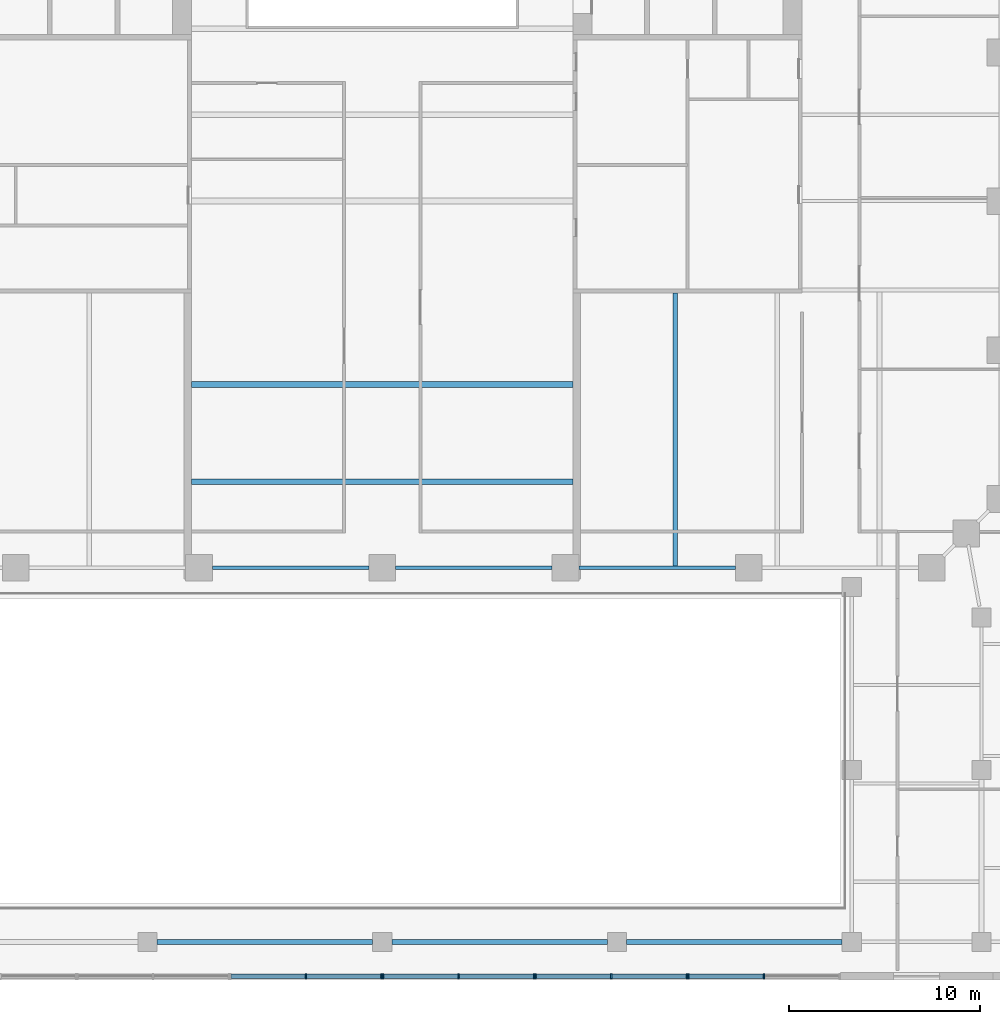
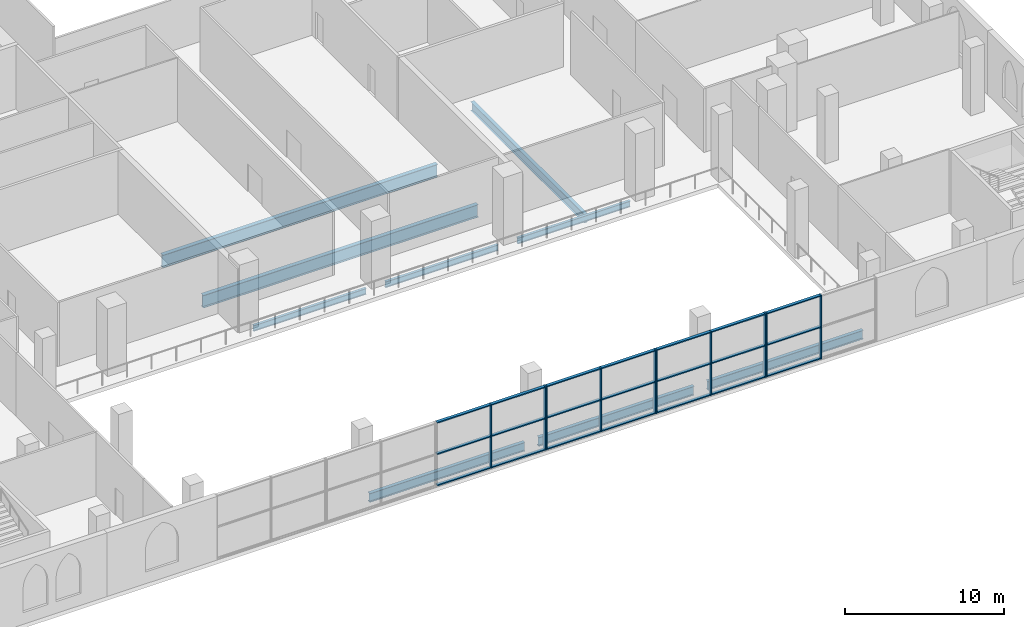
# One storey, part 3 of 22: 31 members, 9 beams, 4 elements without a shape of their own.
"""IFC4 building model written with IfcOpenShell, lengths in metres."""

from ifc_helpers import new_model, si_unit, direction, frame, origin, origin_2d, place, context, subcontext, project, spatial, rectangle, i_section, extrude, material, material_profile, profile_set, type_object, element, aggregate, save


model = new_model("IFC4")

# Units and contexts
model_context = context("Model", 3, precision=1e-05, world=origin(), true_north=direction((0.0, 1.0)))
body_context = subcontext(model_context, "Body", "Model", "MODEL_VIEW")
ifc_project = project(units=[si_unit("LENGTHUNIT", "METRE"), si_unit("AREAUNIT", "SQUARE_METRE"), si_unit("VOLUMEUNIT", "CUBIC_METRE"), si_unit("PLANEANGLEUNIT", "RADIAN"), si_unit("MASSUNIT", "GRAM", prefix="KILO")], contexts=[model_context])

# Site, building, storey
site_placement = place(None, origin())
site = spatial("IfcSite", under=ifc_project, at=site_placement, CompositionType="ELEMENT")
building_placement = place(site_placement, origin())
building = spatial("IfcBuilding", under=site, at=building_placement, Name="Ogive Exchange Tower", CompositionType="ELEMENT")
storey_placement = place(building_placement, frame((0.0, 0.0, 14.0)))
storey = spatial("IfcBuildingStorey", under=building, at=storey_placement, Name="L02", CompositionType="ELEMENT", Elevation=14.0)

# Beams
ifc_material_1 = material(Name="Steel ASTM A992 Gr50", Category="steel")
ifc_material_profile_1 = material_profile(ifc_material_1, i_section(OverallWidth=0.300048828125, OverallDepth=0.969970703125, WebThickness=0.01611328125, FlangeThickness=0.02099609375, at=origin_2d()), Name="W1000x222")
ifc_profile_set_1 = profile_set([ifc_material_profile_1], Name="Steel ASTM A992 Gr50")
beam_type_1 = type_object("IfcBeamType", Name="Floor beam W1000x222", PredefinedType="JOIST", material=ifc_profile_set_1)
for number, where, z_axis, x_axis, name in (
    (1, (-10.0, -25.896728515625, -0.784912109375), (1.0, 0.0, 0.0), (0.0, 1.0, 0.0), "Floor beam"),
    (2, (-10.0, -20.793212890625, -0.784912109375), (1.0, 0.0, 0.0), (0.0, 1.0, 0.0), "Floor beam"),
):
    element("IfcBeam", number, at=place(storey_placement, frame(where, z_axis=z_axis, x_axis=x_axis)), inside=storey, type_object=beam_type_1, Name=name, PredefinedType="JOIST", context=body_context, shape_type="SweptSolid", body=[
        extrude(i_section(OverallWidth=0.300048828125, OverallDepth=0.969970703125, WebThickness=0.01611328125, FlangeThickness=0.02099609375, at=origin_2d()), origin(), (0.0, 0.0, 1.0), 20.0),
    ])
ifc_material_profile_2 = material_profile(ifc_material_1, i_section(OverallWidth=0.25390625, OverallDepth=0.68310546875, WebThickness=0.012451171875, FlangeThickness=0.018798828125, at=origin_2d()), Name="W690x140")
ifc_profile_set_2 = profile_set([ifc_material_profile_2], Name="Steel ASTM A992 Gr50")
beam_type_2 = type_object("IfcBeamType", Name="Floor beam W690x140", PredefinedType="JOIST", material=ifc_profile_set_2)
beam_placement = place(storey_placement, frame((15.35009765625, -30.304443359375, -0.6416015625), z_axis=(0.0, 1.0, 0.0), x_axis=(-1.0, 0.0, 0.0)))
element("IfcBeam", 3, at=beam_placement, inside=storey, type_object=beam_type_2, Name="Floor beam", PredefinedType="JOIST", context=body_context, shape_type="SweptSolid", body=[
    extrude(i_section(OverallWidth=0.25390625, OverallDepth=0.68310546875, WebThickness=0.012451171875, FlangeThickness=0.018798828125, at=origin_2d()), origin(), (0.0, 0.0, 1.0), 14.304443359375),
])

# Curtain wall, members
ifc_material_2 = material(Name="Anodised aluminium and clear glass", Category="aluminium")
curtain_wall_type = type_object("IfcCurtainWallType", Name="Galleria end wall glazing", PredefinedType="NOTDEFINED", material=ifc_material_2)
curtain_wall_1_placement = place(storey_placement, origin())
curtain_wall_1 = element("IfcCurtainWall", 4, at=curtain_wall_1_placement, inside=storey, type_object=curtain_wall_type, Name="Galleria end wall glazing run GE6", PredefinedType="NOTDEFINED")
ifc_material_3 = material(Name="Anodised aluminium", Category="aluminium")
ifc_material_profile_3 = material_profile(ifc_material_3, rectangle(XDim=0.260009765625, YDim=0.080078125, at=origin_2d()), Name="AL 80x260")
ifc_profile_set_3 = profile_set([ifc_material_profile_3], Name="Anodised aluminium")
member_type_1 = type_object("IfcMemberType", Name="Galleria end wall glazing mullion 80 x 260", PredefinedType="MULLION", material=ifc_profile_set_3)
member_1_placement = place(storey_placement, frame((-4.0, -51.800048828125, 0.0), z_axis=(0.0, 0.0, 1.0), x_axis=(0.0, 1.0, 0.0)))
member_1 = element("IfcMember", 5, at=member_1_placement, type_object=member_type_1, Name="GE6 mullion 2", PredefinedType="MULLION", context=body_context, shape_type="SweptSolid", body=[
    extrude(rectangle(XDim=0.260009765625, YDim=0.080078125, at=origin_2d()), origin(), (0.0, 0.0, 1.0), 4.89990234375),
])
member_2_placement = place(storey_placement, frame((-0.0400390625, -51.800048828125, 0.0), z_axis=(0.0, 0.0, 1.0), x_axis=(0.0, 1.0, 0.0)))
member_2 = element("IfcMember", 6, at=member_2_placement, type_object=member_type_1, Name="GE6 mullion 3", PredefinedType="MULLION", context=body_context, shape_type="SweptSolid", body=[
    extrude(rectangle(XDim=0.260009765625, YDim=0.080078125, at=origin_2d()), origin(), (0.0, 0.0, 1.0), 4.89990234375),
])

curtain_wall_2_placement = place(storey_placement, origin())
curtain_wall_2 = element("IfcCurtainWall", 7, at=curtain_wall_2_placement, inside=storey, type_object=curtain_wall_type, Name="Galleria end wall glazing run GE7", PredefinedType="NOTDEFINED")
member_3_placement = place(storey_placement, frame((0.0400390625, -51.800048828125, 0.0), z_axis=(0.0, 0.0, 1.0), x_axis=(0.0, 1.0, 0.0)))
member_3 = element("IfcMember", 8, at=member_3_placement, type_object=member_type_1, Name="GE7 mullion 1", PredefinedType="MULLION", context=body_context, shape_type="SweptSolid", body=[
    extrude(rectangle(XDim=0.260009765625, YDim=0.080078125, at=origin_2d()), origin(), (0.0, 0.0, 1.0), 4.89990234375),
])
member_4_placement = place(storey_placement, frame((4.0, -51.800048828125, 0.0), z_axis=(0.0, 0.0, 1.0), x_axis=(0.0, 1.0, 0.0)))
member_4 = element("IfcMember", 9, at=member_4_placement, type_object=member_type_1, Name="GE7 mullion 2", PredefinedType="MULLION", context=body_context, shape_type="SweptSolid", body=[
    extrude(rectangle(XDim=0.260009765625, YDim=0.080078125, at=origin_2d()), origin(), (0.0, 0.0, 1.0), 4.89990234375),
])
member_5_placement = place(storey_placement, frame((7.9599609375, -51.800048828125, 0.0), z_axis=(0.0, 0.0, 1.0), x_axis=(0.0, 1.0, 0.0)))
member_5 = element("IfcMember", 10, at=member_5_placement, type_object=member_type_1, Name="GE7 mullion 3", PredefinedType="MULLION", context=body_context, shape_type="SweptSolid", body=[
    extrude(rectangle(XDim=0.260009765625, YDim=0.080078125, at=origin_2d()), origin(), (0.0, 0.0, 1.0), 4.89990234375),
])

curtain_wall_3_placement = place(storey_placement, origin())
curtain_wall_3 = element("IfcCurtainWall", 11, at=curtain_wall_3_placement, inside=storey, type_object=curtain_wall_type, Name="Galleria end wall glazing run GE8", PredefinedType="NOTDEFINED")
member_6_placement = place(storey_placement, frame((8.0400390625, -51.800048828125, 0.0), z_axis=(0.0, 0.0, 1.0), x_axis=(0.0, 1.0, 0.0)))
member_6 = element("IfcMember", 12, at=member_6_placement, type_object=member_type_1, Name="GE8 mullion 1", PredefinedType="MULLION", context=body_context, shape_type="SweptSolid", body=[
    extrude(rectangle(XDim=0.260009765625, YDim=0.080078125, at=origin_2d()), origin(), (0.0, 0.0, 1.0), 4.89990234375),
])
member_7_placement = place(storey_placement, frame((12.0, -51.800048828125, 0.0), z_axis=(0.0, 0.0, 1.0), x_axis=(0.0, 1.0, 0.0)))
member_7 = element("IfcMember", 13, at=member_7_placement, type_object=member_type_1, Name="GE8 mullion 2", PredefinedType="MULLION", context=body_context, shape_type="SweptSolid", body=[
    extrude(rectangle(XDim=0.260009765625, YDim=0.080078125, at=origin_2d()), origin(), (0.0, 0.0, 1.0), 4.89990234375),
])
member_8_placement = place(storey_placement, frame((15.9599609375, -51.800048828125, 0.0), z_axis=(0.0, 0.0, 1.0), x_axis=(0.0, 1.0, 0.0)))
member_8 = element("IfcMember", 14, at=member_8_placement, type_object=member_type_1, Name="GE8 mullion 3", PredefinedType="MULLION", context=body_context, shape_type="SweptSolid", body=[
    extrude(rectangle(XDim=0.260009765625, YDim=0.080078125, at=origin_2d()), origin(), (0.0, 0.0, 1.0), 4.89990234375),
])

curtain_wall_4_placement = place(storey_placement, origin())
curtain_wall_4 = element("IfcCurtainWall", 15, at=curtain_wall_4_placement, inside=storey, type_object=curtain_wall_type, Name="Galleria end wall glazing run GE9", PredefinedType="NOTDEFINED")
member_9_placement = place(storey_placement, frame((16.0400390625, -51.800048828125, 0.0), z_axis=(0.0, 0.0, 1.0), x_axis=(0.0, 1.0, 0.0)))
member_9 = element("IfcMember", 16, at=member_9_placement, type_object=member_type_1, Name="GE9 mullion 1", PredefinedType="MULLION", context=body_context, shape_type="SweptSolid", body=[
    extrude(rectangle(XDim=0.260009765625, YDim=0.080078125, at=origin_2d()), origin(), (0.0, 0.0, 1.0), 4.89990234375),
])
member_10_placement = place(storey_placement, frame((20.0, -51.800048828125, 0.0), z_axis=(0.0, 0.0, 1.0), x_axis=(0.0, 1.0, 0.0)))
member_10 = element("IfcMember", 17, at=member_10_placement, type_object=member_type_1, Name="GE9 mullion 2", PredefinedType="MULLION", context=body_context, shape_type="SweptSolid", body=[
    extrude(rectangle(XDim=0.260009765625, YDim=0.080078125, at=origin_2d()), origin(), (0.0, 0.0, 1.0), 4.89990234375),
])

# Member
ifc_material_profile_4 = material_profile(ifc_material_3, rectangle(XDim=0.219970703125, YDim=0.080078125, at=origin_2d()), Name="AL 80x220")
ifc_profile_set_4 = profile_set([ifc_material_profile_4], Name="Anodised aluminium")
member_type_2 = type_object("IfcMemberType", Name="Galleria end wall glazing transom 80 x 220", PredefinedType="USERDEFINED", material=ifc_profile_set_4)
member_11_placement = place(storey_placement, frame((-7.919921875, -51.800048828125, 0.0400390625), z_axis=(1.0, 0.0, 0.0), x_axis=(0.0, 1.0, 0.0)))
member_11 = element("IfcMember", 18, at=member_11_placement, type_object=member_type_2, Name="GE6 transom 1.1", ObjectType="TRANSOM", PredefinedType="USERDEFINED", context=body_context, shape_type="SweptSolid", body=[
    extrude(rectangle(XDim=0.219970703125, YDim=0.080078125, at=origin_2d()), origin(), (0.0, 0.0, 1.0), 3.8798828125),
])

member_12_placement = place(storey_placement, frame((-7.919921875, -51.800048828125, 2.449951171875), z_axis=(1.0, 0.0, 0.0), x_axis=(0.0, 1.0, 0.0)))
member_12 = element("IfcMember", 19, at=member_12_placement, type_object=member_type_2, Name="GE6 transom 1.2", ObjectType="TRANSOM", PredefinedType="USERDEFINED", context=body_context, shape_type="SweptSolid", body=[
    extrude(rectangle(XDim=0.219970703125, YDim=0.080078125, at=origin_2d()), origin(), (0.0, 0.0, 1.0), 3.8798828125),
])

member_13_placement = place(storey_placement, frame((-7.919921875, -51.800048828125, 4.860107421875), z_axis=(1.0, 0.0, 0.0), x_axis=(0.0, 1.0, 0.0)))
member_13 = element("IfcMember", 20, at=member_13_placement, type_object=member_type_2, Name="GE6 transom 1.3", ObjectType="TRANSOM", PredefinedType="USERDEFINED", context=body_context, shape_type="SweptSolid", body=[
    extrude(rectangle(XDim=0.219970703125, YDim=0.080078125, at=origin_2d()), origin(), (0.0, 0.0, 1.0), 3.8798828125),
])

member_14_placement = place(storey_placement, frame((-3.9599609375, -51.800048828125, 0.0400390625), z_axis=(1.0, 0.0, 0.0), x_axis=(0.0, 1.0, 0.0)))
member_14 = element("IfcMember", 21, at=member_14_placement, type_object=member_type_2, Name="GE6 transom 2.1", ObjectType="TRANSOM", PredefinedType="USERDEFINED", context=body_context, shape_type="SweptSolid", body=[
    extrude(rectangle(XDim=0.219970703125, YDim=0.080078125, at=origin_2d()), origin(), (0.0, 0.0, 1.0), 3.8798828125),
])

member_15_placement = place(storey_placement, frame((-3.9599609375, -51.800048828125, 2.449951171875), z_axis=(1.0, 0.0, 0.0), x_axis=(0.0, 1.0, 0.0)))
member_15 = element("IfcMember", 22, at=member_15_placement, type_object=member_type_2, Name="GE6 transom 2.2", ObjectType="TRANSOM", PredefinedType="USERDEFINED", context=body_context, shape_type="SweptSolid", body=[
    extrude(rectangle(XDim=0.219970703125, YDim=0.080078125, at=origin_2d()), origin(), (0.0, 0.0, 1.0), 3.8798828125),
])

member_16_placement = place(storey_placement, frame((-3.9599609375, -51.800048828125, 4.860107421875), z_axis=(1.0, 0.0, 0.0), x_axis=(0.0, 1.0, 0.0)))
member_16 = element("IfcMember", 23, at=member_16_placement, type_object=member_type_2, Name="GE6 transom 2.3", ObjectType="TRANSOM", PredefinedType="USERDEFINED", context=body_context, shape_type="SweptSolid", body=[
    extrude(rectangle(XDim=0.219970703125, YDim=0.080078125, at=origin_2d()), origin(), (0.0, 0.0, 1.0), 3.8798828125),
])

aggregate(curtain_wall_1, [member_1, member_2, member_11, member_12, member_13, member_14, member_15, member_16])

member_17_placement = place(storey_placement, frame((0.080078125, -51.800048828125, 0.0400390625), z_axis=(1.0, 0.0, 0.0), x_axis=(0.0, 1.0, 0.0)))
member_17 = element("IfcMember", 24, at=member_17_placement, type_object=member_type_2, Name="GE7 transom 1.1", ObjectType="TRANSOM", PredefinedType="USERDEFINED", context=body_context, shape_type="SweptSolid", body=[
    extrude(rectangle(XDim=0.219970703125, YDim=0.080078125, at=origin_2d()), origin(), (0.0, 0.0, 1.0), 3.8798828125),
])

member_18_placement = place(storey_placement, frame((0.080078125, -51.800048828125, 2.449951171875), z_axis=(1.0, 0.0, 0.0), x_axis=(0.0, 1.0, 0.0)))
member_18 = element("IfcMember", 25, at=member_18_placement, type_object=member_type_2, Name="GE7 transom 1.2", ObjectType="TRANSOM", PredefinedType="USERDEFINED", context=body_context, shape_type="SweptSolid", body=[
    extrude(rectangle(XDim=0.219970703125, YDim=0.080078125, at=origin_2d()), origin(), (0.0, 0.0, 1.0), 3.8798828125),
])

member_19_placement = place(storey_placement, frame((0.080078125, -51.800048828125, 4.860107421875), z_axis=(1.0, 0.0, 0.0), x_axis=(0.0, 1.0, 0.0)))
member_19 = element("IfcMember", 26, at=member_19_placement, type_object=member_type_2, Name="GE7 transom 1.3", ObjectType="TRANSOM", PredefinedType="USERDEFINED", context=body_context, shape_type="SweptSolid", body=[
    extrude(rectangle(XDim=0.219970703125, YDim=0.080078125, at=origin_2d()), origin(), (0.0, 0.0, 1.0), 3.8798828125),
])

member_20_placement = place(storey_placement, frame((4.0400390625, -51.800048828125, 0.0400390625), z_axis=(1.0, 0.0, 0.0), x_axis=(0.0, 1.0, 0.0)))
member_20 = element("IfcMember", 27, at=member_20_placement, type_object=member_type_2, Name="GE7 transom 2.1", ObjectType="TRANSOM", PredefinedType="USERDEFINED", context=body_context, shape_type="SweptSolid", body=[
    extrude(rectangle(XDim=0.219970703125, YDim=0.080078125, at=origin_2d()), origin(), (0.0, 0.0, 1.0), 3.8798828125),
])

member_21_placement = place(storey_placement, frame((4.0400390625, -51.800048828125, 2.449951171875), z_axis=(1.0, 0.0, 0.0), x_axis=(0.0, 1.0, 0.0)))
member_21 = element("IfcMember", 28, at=member_21_placement, type_object=member_type_2, Name="GE7 transom 2.2", ObjectType="TRANSOM", PredefinedType="USERDEFINED", context=body_context, shape_type="SweptSolid", body=[
    extrude(rectangle(XDim=0.219970703125, YDim=0.080078125, at=origin_2d()), origin(), (0.0, 0.0, 1.0), 3.8798828125),
])

member_22_placement = place(storey_placement, frame((4.0400390625, -51.800048828125, 4.860107421875), z_axis=(1.0, 0.0, 0.0), x_axis=(0.0, 1.0, 0.0)))
member_22 = element("IfcMember", 29, at=member_22_placement, type_object=member_type_2, Name="GE7 transom 2.3", ObjectType="TRANSOM", PredefinedType="USERDEFINED", context=body_context, shape_type="SweptSolid", body=[
    extrude(rectangle(XDim=0.219970703125, YDim=0.080078125, at=origin_2d()), origin(), (0.0, 0.0, 1.0), 3.8798828125),
])

aggregate(curtain_wall_2, [member_3, member_4, member_5, member_17, member_18, member_19, member_20, member_21, member_22])

member_23_placement = place(storey_placement, frame((8.080078125, -51.800048828125, 0.0400390625), z_axis=(1.0, 0.0, 0.0), x_axis=(0.0, 1.0, 0.0)))
member_23 = element("IfcMember", 30, at=member_23_placement, type_object=member_type_2, Name="GE8 transom 1.1", ObjectType="TRANSOM", PredefinedType="USERDEFINED", context=body_context, shape_type="SweptSolid", body=[
    extrude(rectangle(XDim=0.219970703125, YDim=0.080078125, at=origin_2d()), origin(), (0.0, 0.0, 1.0), 3.8798828125),
])

member_24_placement = place(storey_placement, frame((8.080078125, -51.800048828125, 2.449951171875), z_axis=(1.0, 0.0, 0.0), x_axis=(0.0, 1.0, 0.0)))
member_24 = element("IfcMember", 31, at=member_24_placement, type_object=member_type_2, Name="GE8 transom 1.2", ObjectType="TRANSOM", PredefinedType="USERDEFINED", context=body_context, shape_type="SweptSolid", body=[
    extrude(rectangle(XDim=0.219970703125, YDim=0.080078125, at=origin_2d()), origin(), (0.0, 0.0, 1.0), 3.8798828125),
])

member_25_placement = place(storey_placement, frame((8.080078125, -51.800048828125, 4.860107421875), z_axis=(1.0, 0.0, 0.0), x_axis=(0.0, 1.0, 0.0)))
member_25 = element("IfcMember", 32, at=member_25_placement, type_object=member_type_2, Name="GE8 transom 1.3", ObjectType="TRANSOM", PredefinedType="USERDEFINED", context=body_context, shape_type="SweptSolid", body=[
    extrude(rectangle(XDim=0.219970703125, YDim=0.080078125, at=origin_2d()), origin(), (0.0, 0.0, 1.0), 3.8798828125),
])

member_26_placement = place(storey_placement, frame((12.0400390625, -51.800048828125, 0.0400390625), z_axis=(1.0, 0.0, 0.0), x_axis=(0.0, 1.0, 0.0)))
member_26 = element("IfcMember", 33, at=member_26_placement, type_object=member_type_2, Name="GE8 transom 2.1", ObjectType="TRANSOM", PredefinedType="USERDEFINED", context=body_context, shape_type="SweptSolid", body=[
    extrude(rectangle(XDim=0.219970703125, YDim=0.080078125, at=origin_2d()), origin(), (0.0, 0.0, 1.0), 3.8798828125),
])

member_27_placement = place(storey_placement, frame((12.0400390625, -51.800048828125, 2.449951171875), z_axis=(1.0, 0.0, 0.0), x_axis=(0.0, 1.0, 0.0)))
member_27 = element("IfcMember", 34, at=member_27_placement, type_object=member_type_2, Name="GE8 transom 2.2", ObjectType="TRANSOM", PredefinedType="USERDEFINED", context=body_context, shape_type="SweptSolid", body=[
    extrude(rectangle(XDim=0.219970703125, YDim=0.080078125, at=origin_2d()), origin(), (0.0, 0.0, 1.0), 3.8798828125),
])

member_28_placement = place(storey_placement, frame((12.0400390625, -51.800048828125, 4.860107421875), z_axis=(1.0, 0.0, 0.0), x_axis=(0.0, 1.0, 0.0)))
member_28 = element("IfcMember", 35, at=member_28_placement, type_object=member_type_2, Name="GE8 transom 2.3", ObjectType="TRANSOM", PredefinedType="USERDEFINED", context=body_context, shape_type="SweptSolid", body=[
    extrude(rectangle(XDim=0.219970703125, YDim=0.080078125, at=origin_2d()), origin(), (0.0, 0.0, 1.0), 3.8798828125),
])

aggregate(curtain_wall_3, [member_6, member_7, member_8, member_23, member_24, member_25, member_26, member_27, member_28])

member_29_placement = place(storey_placement, frame((16.080078125, -51.800048828125, 0.0400390625), z_axis=(1.0, 0.0, 0.0), x_axis=(0.0, 1.0, 0.0)))
member_29 = element("IfcMember", 36, at=member_29_placement, type_object=member_type_2, Name="GE9 transom 1.1", ObjectType="TRANSOM", PredefinedType="USERDEFINED", context=body_context, shape_type="SweptSolid", body=[
    extrude(rectangle(XDim=0.219970703125, YDim=0.080078125, at=origin_2d()), origin(), (0.0, 0.0, 1.0), 3.8798828125),
])

member_30_placement = place(storey_placement, frame((16.080078125, -51.800048828125, 2.449951171875), z_axis=(1.0, 0.0, 0.0), x_axis=(0.0, 1.0, 0.0)))
member_30 = element("IfcMember", 37, at=member_30_placement, type_object=member_type_2, Name="GE9 transom 1.2", ObjectType="TRANSOM", PredefinedType="USERDEFINED", context=body_context, shape_type="SweptSolid", body=[
    extrude(rectangle(XDim=0.219970703125, YDim=0.080078125, at=origin_2d()), origin(), (0.0, 0.0, 1.0), 3.8798828125),
])

member_31_placement = place(storey_placement, frame((16.080078125, -51.800048828125, 4.860107421875), z_axis=(1.0, 0.0, 0.0), x_axis=(0.0, 1.0, 0.0)))
member_31 = element("IfcMember", 38, at=member_31_placement, type_object=member_type_2, Name="GE9 transom 1.3", ObjectType="TRANSOM", PredefinedType="USERDEFINED", context=body_context, shape_type="SweptSolid", body=[
    extrude(rectangle(XDim=0.219970703125, YDim=0.080078125, at=origin_2d()), origin(), (0.0, 0.0, 1.0), 3.8798828125),
])

aggregate(curtain_wall_4, [member_9, member_10, member_29, member_30, member_31])

# Beams
ifc_material_profile_5 = material_profile(ifc_material_1, i_section(OverallWidth=0.19091796875, OverallDepth=0.45703125, WebThickness=0.009033203125, FlangeThickness=0.014404296875, at=origin_2d()), Name="W460x74")
ifc_profile_set_5 = profile_set([ifc_material_profile_5], Name="Steel ASTM A992 Gr50")
beam_type_3 = type_object("IfcBeamType", Name="Girder W460x74", PredefinedType="BEAM", material=ifc_profile_set_5)
for number, where, z_axis, x_axis, name in (
    (39, (-8.89990234375, -30.39990234375, -0.528564453125), (1.0, 0.0, 0.0), (0.0, 1.0, 0.0), "Girder"),
    (40, (0.699951171875, -30.39990234375, -0.528564453125), (1.0, 0.0, 0.0), (0.0, 1.0, 0.0), "Girder"),
    (41, (10.300048828125, -30.39990234375, -0.528564453125), (1.0, 0.0, 0.0), (0.0, 1.0, 0.0), "Girder"),
):
    element("IfcBeam", number, at=place(storey_placement, frame(where, z_axis=z_axis, x_axis=x_axis)), inside=storey, type_object=beam_type_3, Name=name, PredefinedType="BEAM", context=body_context, shape_type="SweptSolid", body=[
        extrude(i_section(OverallWidth=0.19091796875, OverallDepth=0.45703125, WebThickness=0.009033203125, FlangeThickness=0.014404296875, at=origin_2d()), origin(), (0.0, 0.0, 1.0), 8.199951171875),
    ])
ifc_material_profile_6 = material_profile(ifc_material_1, i_section(OverallWidth=0.25390625, OverallDepth=0.677978515625, WebThickness=0.01171875, FlangeThickness=0.016357421875, at=origin_2d()), Name="W690x125")
ifc_profile_set_6 = profile_set([ifc_material_profile_6], Name="Steel ASTM A992 Gr50")
beam_type_4 = type_object("IfcBeamType", Name="Girder W690x125", PredefinedType="BEAM", material=ifc_profile_set_6)
for number, where, z_axis, x_axis, name in (
    (42, (-11.800048828125, -50.0, -0.638916015625), (1.0, 0.0, 0.0), (0.0, 1.0, 0.0), "Girder"),
    (43, (0.5, -50.0, -0.638916015625), (1.0, 0.0, 0.0), (0.0, 1.0, 0.0), "Girder"),
    (44, (12.800048828125, -50.0, -0.638916015625), (1.0, 0.0, 0.0), (0.0, 1.0, 0.0), "Girder"),
):
    element("IfcBeam", number, at=place(storey_placement, frame(where, z_axis=z_axis, x_axis=x_axis)), inside=storey, type_object=beam_type_4, Name=name, PredefinedType="BEAM", context=body_context, shape_type="SweptSolid", body=[
        extrude(i_section(OverallWidth=0.25390625, OverallDepth=0.677978515625, WebThickness=0.01171875, FlangeThickness=0.016357421875, at=origin_2d()), origin(), (0.0, 0.0, 1.0), 11.300048828125),
    ])

save(model, "model.ifc")
